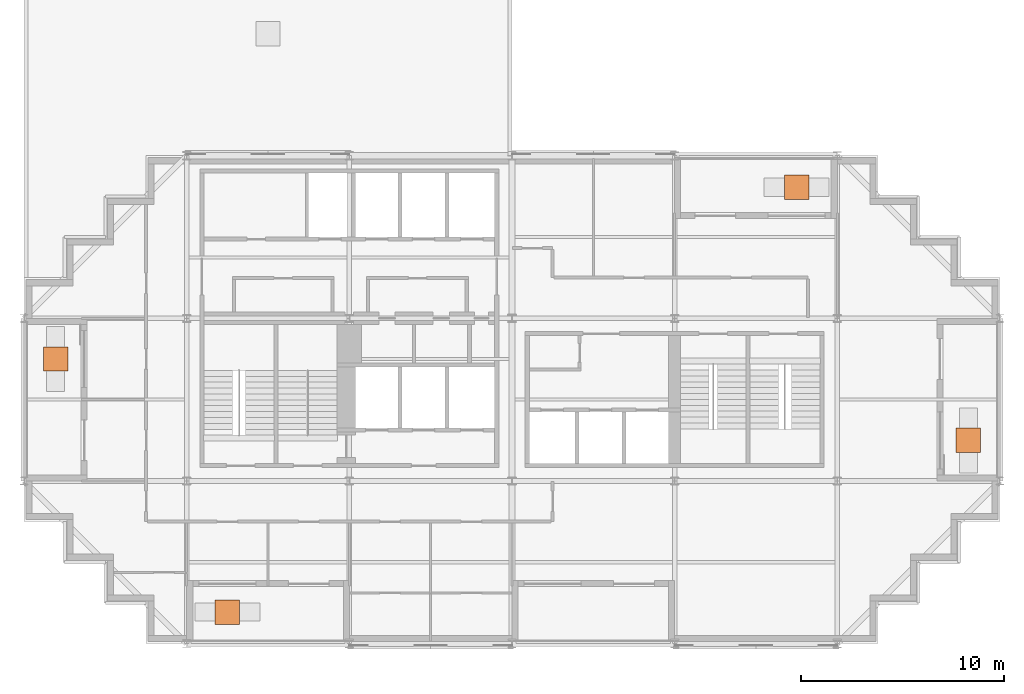
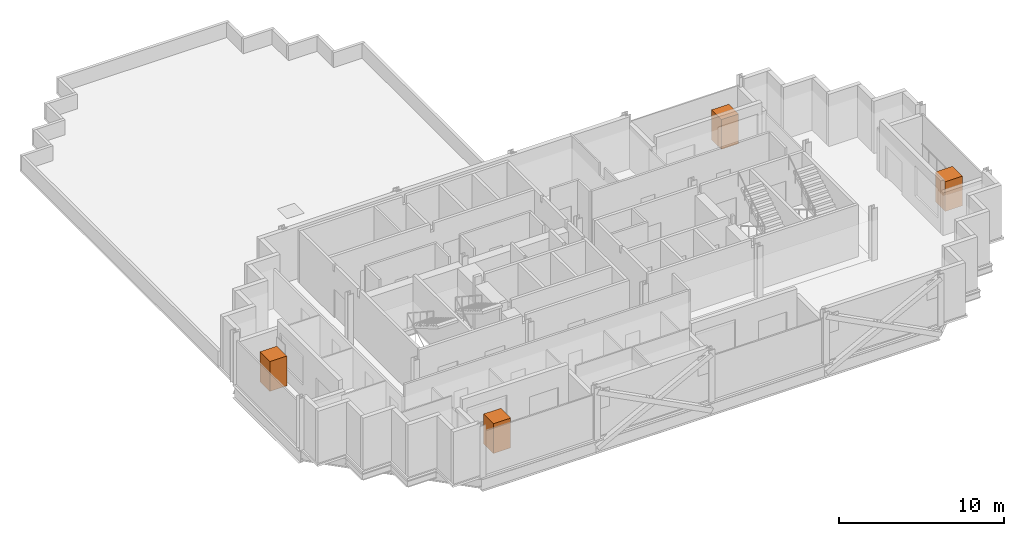
# One storey, part 9 of 9: 4 geographic elements.
"""IFC4 building model written with IfcOpenShell, lengths in metres."""

from ifc_helpers import new_model, si_unit, direction, frame, origin, origin_2d, place, context, subcontext, project, spatial, rectangle, extrude, material, type_object, element, save


model = new_model("IFC4")

# Units and contexts
model_context = context("Model", 3, precision=1e-05, world=origin(), true_north=direction((0.0, 1.0)))
body_context = subcontext(model_context, "Body", "Model", "MODEL_VIEW")
ifc_project = project(units=[si_unit("LENGTHUNIT", "METRE"), si_unit("AREAUNIT", "SQUARE_METRE"), si_unit("VOLUMEUNIT", "CUBIC_METRE"), si_unit("PLANEANGLEUNIT", "RADIAN"), si_unit("MASSUNIT", "GRAM", prefix="KILO")], contexts=[model_context])

# Site, building, storey
site_placement = place(None, origin())
site = spatial("IfcSite", under=ifc_project, at=site_placement, CompositionType="ELEMENT")
building_placement = place(site_placement, origin())
building = spatial("IfcBuilding", under=site, at=building_placement, Name="Immortelle Media Tower", CompositionType="ELEMENT")
storey_placement = place(building_placement, frame((0.0, 0.0, 189.0)))
storey = spatial("IfcBuildingStorey", under=building, at=storey_placement, Name="L39", CompositionType="ELEMENT", Elevation=189.0)

# Geographic elements
ifc_material = material(Name="Tree canopy foliage")
geographic_element_type = type_object("IfcGeographicElementType", Name="Tree", PredefinedType="USERDEFINED", material=ifc_material)
for number, where, z_axis, x_axis, name in (
    (1, (10.0, 1.550048828125, 0.60009765625), (0.0, 0.0, 1.0), (1.0, 0.0, 0.0), "Tree L39 S0"),
    (2, (46.449951171875, 10.0, 0.60009765625), (0.0, 0.0, 1.0), (1.0, 0.0, 0.0), "Tree L39 E0"),
    (3, (38.0, 22.449951171875, 0.60009765625), (0.0, 0.0, 1.0), (1.0, 0.0, 0.0), "Tree L39 N0"),
    (4, (1.550048828125, 14.0, 0.60009765625), (0.0, 0.0, 1.0), (1.0, 0.0, 0.0), "Tree L39 W0"),
):
    element("IfcGeographicElement", number, at=place(storey_placement, frame(where, z_axis=z_axis, x_axis=x_axis)), inside=storey, type_object=geographic_element_type, Name=name, ObjectType="Tree", PredefinedType="USERDEFINED", context=body_context, shape_type="SweptSolid", body=[
        extrude(rectangle(XDim=1.199951171875, YDim=1.199951171875, at=origin_2d()), origin(), (0.0, 0.0, 1.0), 2.199951171875),
    ])

save(model, "model.ifc")
